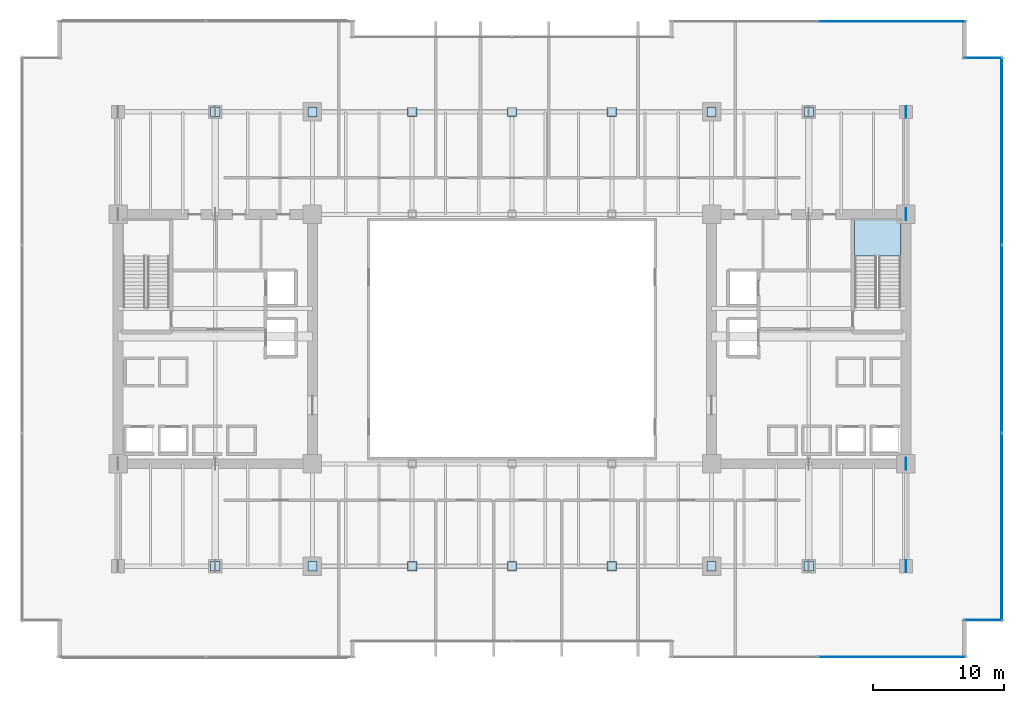
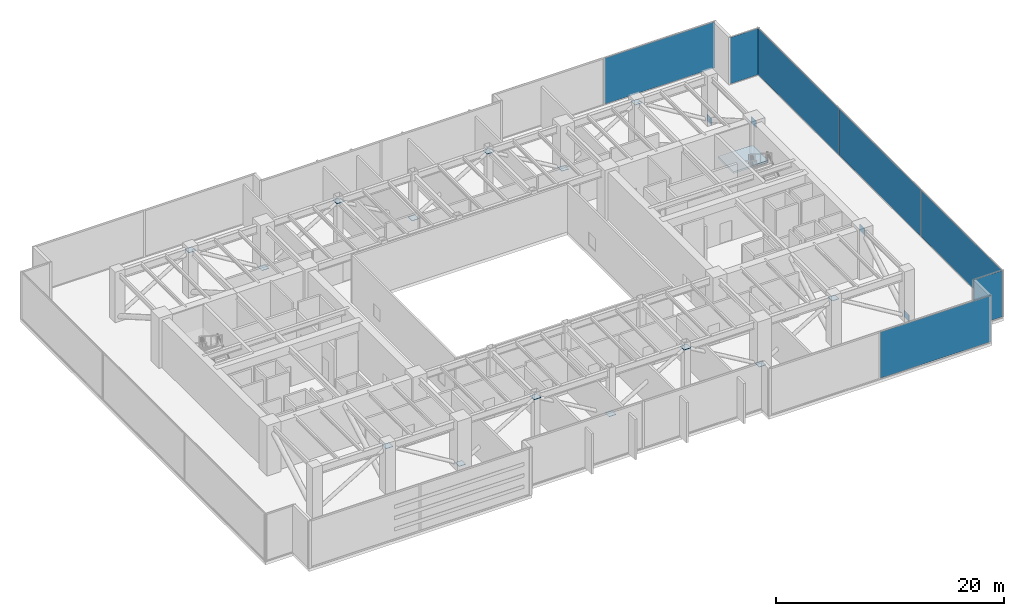
# One storey, part 31 of 38: 25 plates, 1 slab, 6 elements without a shape of their own.
"""IFC4 building model written with IfcOpenShell, lengths in metres."""

from ifc_helpers import new_model, si_unit, direction, frame, origin, origin_2d, place, context, subcontext, project, spatial, polyline, rectangle, outline, extrude, source, transform, mapped, material, layer, layer_set, type_object, type_shapes, element, aggregate, save


model = new_model("IFC4")

# Units and contexts
model_context = context("Model", 3, precision=1e-05, world=origin(), true_north=direction((0.0, 1.0)))
body_context = subcontext(model_context, "Body", "Model", "MODEL_VIEW")
ifc_project = project(units=[si_unit("LENGTHUNIT", "METRE"), si_unit("AREAUNIT", "SQUARE_METRE"), si_unit("VOLUMEUNIT", "CUBIC_METRE"), si_unit("PLANEANGLEUNIT", "RADIAN"), si_unit("MASSUNIT", "GRAM", prefix="KILO")], contexts=[model_context])

# Site, building, storey
site_placement = place(None, origin())
site = spatial("IfcSite", under=ifc_project, at=site_placement, CompositionType="ELEMENT")
building_placement = place(site_placement, origin())
building = spatial("IfcBuilding", under=site, at=building_placement, Name="Haelvirn Gate Laboratories", CompositionType="ELEMENT")
storey_placement = place(building_placement, frame((0.0, 0.0, 94.89990234375)))
storey = spatial("IfcBuildingStorey", under=building, at=storey_placement, Name="L23", CompositionType="ELEMENT", Elevation=94.89990234375)

# Stair, slab
ifc_material_1 = material(Name="Concrete C40/50", Category="concrete")
stair_type = type_object("IfcStairType", Name="ST-DOG-1650-R30", PredefinedType="HALF_TURN_STAIR", material=ifc_material_1)
stair_placement = place(storey_placement, origin())
stair = element("IfcStair", 1, at=stair_placement, inside=storey, type_object=stair_type, Name="L23 Escape Stair ST2", PredefinedType="HALF_TURN_STAIR")
ifc_layer_1 = layer(ifc_material_1, 0.199951171875, Name="SL-STAIR-LND")
ifc_layer_set_1 = layer_set([ifc_layer_1], Name="Concrete C40/50")
slab_type = type_object("IfcSlabType", Name="SL-STAIR-LND", PredefinedType="LANDING", material=ifc_layer_set_1)
slab_placement = place(storey_placement, frame((0.0, 0.0, 2.5)))
slab = element("IfcSlab", 2, at=slab_placement, type_object=slab_type, Name="ST2 landing 1", PredefinedType="LANDING", context=body_context, shape_type="SweptSolid", body=[
    extrude(outline(polyline([(67.0, 30.6201171875), (67.0, 33.35009765625), (63.5, 33.35009765625), (63.5, 30.6201171875), (67.0, 30.6201171875)])), origin(), (0.0, 0.0, 1.0), 0.2001953125),
])
aggregate(stair, [slab])

# Plates
ifc_material_2 = material(Name="Steel SM420", Category="steel")
ifc_layer_2 = layer(ifc_material_2, 0.031982421875, Name="PL-NODE-ON1")
ifc_layer_set_2 = layer_set([ifc_layer_2], Name="Steel SM420")
plate_type_1 = type_object("IfcPlateType", Name="PL-NODE-ON1", PredefinedType="USERDEFINED", material=ifc_layer_set_2)
shared_shape_1 = source(origin(), body_context, "Body", "SweptSolid", [
    extrude(rectangle(XDim=0.89990234375, YDim=0.031982421875, at=origin_2d()), origin(), (0.0, 0.0, 1.0), 0.699951171875),
])
type_shapes(plate_type_1, [shared_shape_1])
for number, where, z_axis, x_axis, name in (
    (3, (67.39990234375, 14.800048828125, 4.39013671875), (0.0, 0.0, 1.0), (0.0, 1.0, 0.0), "L23 Steel Truss Node Plate ON1"),
    (4, (67.39990234375, 7.0, -0.10009765625), (0.0, 0.0, 1.0), (0.0, 1.0, 0.0), "L23 Steel Truss Node Plate ON1"),
    (5, (67.39990234375, 33.800048828125, 4.39013671875), (0.0, 0.0, 1.0), (0.0, 1.0, 0.0), "L23 Steel Truss Node Plate ON1"),
    (6, (67.39990234375, 41.60009765625, -0.10009765625), (0.0, 0.0, 1.0), (0.0, 1.0, 0.0), "L23 Steel Truss Node Plate ON1"),
):
    element("IfcPlate", number, at=place(storey_placement, frame(where, z_axis=z_axis, x_axis=x_axis)), inside=storey, type_object=plate_type_1, Name=name, ObjectType="GUSSET_PLATE", PredefinedType="USERDEFINED", context=body_context, shape_type="MappedRepresentation", body=[
        mapped(shared_shape_1, transform((0.0, 0.0, 0.0), scale=1.0)),
    ])
ifc_layer_3 = layer(ifc_material_2, 0.031982421875, Name="PL-NODE-KN1")
ifc_layer_set_3 = layer_set([ifc_layer_3], Name="Steel SM420")
plate_type_2 = type_object("IfcPlateType", Name="PL-NODE-KN1", PredefinedType="SHEET", material=ifc_layer_set_3)
shared_shape_2 = source(origin(), body_context, "Body", "SweptSolid", [
    extrude(rectangle(XDim=0.699951171875, YDim=0.699951171875, at=origin_2d()), origin(), (0.0, 0.0, 1.0), 0.031982421875),
])
type_shapes(plate_type_2, [shared_shape_2])
for number, where, z_axis, x_axis, name in (
    (7, (14.800048828125, 7.0, 4.72412109375), (0.0, 0.0, 1.0), (1.0, 0.0, 0.0), "L23 Steel Truss Node Plate KN1"),
    (8, (22.199951171875, 7.0, 0.23388671875), (0.0, 0.0, 1.0), (1.0, 0.0, 0.0), "L23 Steel Truss Node Plate KN1"),
    (9, (29.800048828125, 7.0, 4.72412109375), (0.0, 0.0, 1.0), (1.0, 0.0, 0.0), "L23 Steel Truss Node Plate KN1"),
    (10, (37.39990234375, 7.0, 0.23388671875), (0.0, 0.0, 1.0), (1.0, 0.0, 0.0), "L23 Steel Truss Node Plate KN1"),
    (11, (45.0, 7.0, 4.72412109375), (0.0, 0.0, 1.0), (1.0, 0.0, 0.0), "L23 Steel Truss Node Plate KN1"),
    (12, (52.60009765625, 7.0, 0.23388671875), (0.0, 0.0, 1.0), (1.0, 0.0, 0.0), "L23 Steel Truss Node Plate KN1"),
    (13, (60.0, 7.0, 4.72412109375), (0.0, 0.0, 1.0), (1.0, 0.0, 0.0), "L23 Steel Truss Node Plate KN1"),
    (14, (14.800048828125, 41.60009765625, 4.72412109375), (0.0, 0.0, 1.0), (1.0, 0.0, 0.0), "L23 Steel Truss Node Plate KN1"),
    (15, (22.199951171875, 41.60009765625, 0.23388671875), (0.0, 0.0, 1.0), (1.0, 0.0, 0.0), "L23 Steel Truss Node Plate KN1"),
    (16, (29.800048828125, 41.60009765625, 4.72412109375), (0.0, 0.0, 1.0), (1.0, 0.0, 0.0), "L23 Steel Truss Node Plate KN1"),
    (17, (37.39990234375, 41.60009765625, 0.23388671875), (0.0, 0.0, 1.0), (1.0, 0.0, 0.0), "L23 Steel Truss Node Plate KN1"),
    (18, (45.0, 41.60009765625, 4.72412109375), (0.0, 0.0, 1.0), (1.0, 0.0, 0.0), "L23 Steel Truss Node Plate KN1"),
    (19, (52.60009765625, 41.60009765625, 0.23388671875), (0.0, 0.0, 1.0), (1.0, 0.0, 0.0), "L23 Steel Truss Node Plate KN1"),
    (20, (60.0, 41.60009765625, 4.72412109375), (0.0, 0.0, 1.0), (1.0, 0.0, 0.0), "L23 Steel Truss Node Plate KN1"),
):
    element("IfcPlate", number, at=place(storey_placement, frame(where, z_axis=z_axis, x_axis=x_axis)), inside=storey, type_object=plate_type_2, Name=name, PredefinedType="SHEET", context=body_context, shape_type="MappedRepresentation", body=[
        mapped(shared_shape_2, transform((0.0, 0.0, 0.0), scale=1.0)),
    ])

# Curtain wall, plate
ifc_material_3 = material(Name="Anodised bronze unitised aluminium & triple low-E glass", Category="aluminium")
ifc_layer_4 = layer(ifc_material_3, 0.18408203125, Name="CW-SYS-2")
ifc_layer_set_4 = layer_set([ifc_layer_4], Name="Anodised bronze unitised aluminium & triple low-E glass")
curtain_wall_type_1 = type_object("IfcCurtainWallType", Name="CW-SYS-2", PredefinedType="NOTDEFINED", material=ifc_layer_set_4)
curtain_wall_1_placement = place(storey_placement, origin())
curtain_wall_1 = element("IfcCurtainWall", 21, at=curtain_wall_1_placement, inside=storey, type_object=curtain_wall_type_1, Name="L23 Unitised Curtain Wall CW-L23-P0-E04-1", PredefinedType="NOTDEFINED")
ifc_material_4 = material(Name="Bronze solar-control triple low-E IGU 44 mm", Category="glass")
ifc_layer_5 = layer(ifc_material_4, 0.0439453125, Name="CWP-IGU-44")
ifc_layer_set_5 = layer_set([ifc_layer_5], Name="Bronze solar-control triple low-E IGU 44 mm")
plate_type_3 = type_object("IfcPlateType", Name="CWP-IGU-44", PredefinedType="CURTAIN_PANEL", material=ifc_layer_set_5)
shared_shape_3 = source(origin(), body_context, "Body", "SweptSolid", [
    extrude(rectangle(XDim=11.1875, YDim=0.0439453125, at=origin_2d()), origin(), (0.0, 0.0, 1.0), 4.949951171875),
])
plate_1_placement = place(storey_placement, frame((66.331298828125, 0.10009765625, 0.0703125), z_axis=(0.0, 0.0, 1.0), x_axis=(1.0, 0.0, 0.0)))
plate_1 = element("IfcPlate", 22, at=plate_1_placement, type_object=plate_type_3, Name="CW2 panel 2.1", PredefinedType="CURTAIN_PANEL", context=body_context, shape_type="MappedRepresentation", body=[
    mapped(shared_shape_3, transform((0.0, 0.0, 0.0), scale=1.0)),
])
aggregate(curtain_wall_1, [plate_1])

curtain_wall_2_placement = place(storey_placement, origin())
curtain_wall_2 = element("IfcCurtainWall", 23, at=curtain_wall_2_placement, inside=storey, type_object=curtain_wall_type_1, Name="L23 Unitised Curtain Wall CW-L23-P0-E10-1", PredefinedType="NOTDEFINED")
plate_2_placement = place(storey_placement, frame((66.331298828125, 48.5, 0.0703125), z_axis=(0.0, 0.0, 1.0), x_axis=(1.0, 0.0, 0.0)))
plate_2 = element("IfcPlate", 24, at=plate_2_placement, type_object=plate_type_3, Name="CW2 panel 2.1", PredefinedType="CURTAIN_PANEL", context=body_context, shape_type="MappedRepresentation", body=[
    mapped(shared_shape_3, transform((0.0, 0.0, 0.0), scale=1.0)),
])
aggregate(curtain_wall_2, [plate_2])

ifc_layer_6 = layer(ifc_material_3, 0.181884765625, Name="CW-SYS-5")
ifc_layer_set_6 = layer_set([ifc_layer_6], Name="Anodised bronze unitised aluminium & triple low-E glass")
curtain_wall_type_2 = type_object("IfcCurtainWallType", Name="CW-SYS-5", PredefinedType="NOTDEFINED", material=ifc_layer_set_6)
curtain_wall_3_placement = place(storey_placement, origin())
curtain_wall_3 = element("IfcCurtainWall", 25, at=curtain_wall_3_placement, inside=storey, type_object=curtain_wall_type_2, Name="L23 Unitised Curtain Wall CW-L23-P0-E06-1", PredefinedType="NOTDEFINED")
ifc_material_5 = material(Name="Clear low-iron notched-corner triple IGU 42 mm", Category="glass")
ifc_layer_7 = layer(ifc_material_5, 0.0419921875, Name="CWP-NTC-42")
ifc_layer_set_7 = layer_set([ifc_layer_7], Name="Clear low-iron notched-corner triple IGU 42 mm")
plate_type_4 = type_object("IfcPlateType", Name="CWP-NTC-42", PredefinedType="CURTAIN_PANEL", material=ifc_layer_set_7)
shared_shape_4 = source(origin(), body_context, "Body", "SweptSolid", [
    extrude(rectangle(XDim=2.8798828125, YDim=0.0419921875, at=origin_2d()), origin(), (0.0, 0.0, 1.0), 4.9599609375),
])
type_shapes(plate_type_4, [shared_shape_4])
plate_3_placement = place(storey_placement, frame((73.280029296875, 2.89990234375, 0.065185546875), z_axis=(0.0, 0.0, 1.0), x_axis=(1.0, 0.0, 0.0)))
plate_3 = element("IfcPlate", 26, at=plate_3_placement, type_object=plate_type_4, Name="CW5 panel 1.1", PredefinedType="CURTAIN_PANEL", context=body_context, shape_type="MappedRepresentation", body=[
    mapped(shared_shape_4, transform((0.0, 0.0, 0.0), scale=1.0)),
])
aggregate(curtain_wall_3, [plate_3])

curtain_wall_4_placement = place(storey_placement, origin())
curtain_wall_4 = element("IfcCurtainWall", 27, at=curtain_wall_4_placement, inside=storey, type_object=curtain_wall_type_2, Name="L23 Unitised Curtain Wall CW-L23-P0-E08-1", PredefinedType="NOTDEFINED")
plate_4_placement = place(storey_placement, frame((73.280029296875, 45.699951171875, 0.065185546875), z_axis=(0.0, 0.0, 1.0), x_axis=(1.0, 0.0, 0.0)))
plate_4 = element("IfcPlate", 28, at=plate_4_placement, type_object=plate_type_4, Name="CW5 panel 1.1", PredefinedType="CURTAIN_PANEL", context=body_context, shape_type="MappedRepresentation", body=[
    mapped(shared_shape_4, transform((0.0, 0.0, 0.0), scale=1.0)),
])
aggregate(curtain_wall_4, [plate_4])

# Curtain wall, plates
curtain_wall_5_placement = place(storey_placement, origin())
curtain_wall_5 = element("IfcCurtainWall", 29, at=curtain_wall_5_placement, inside=storey, type_object=curtain_wall_type_1, Name="L23 Unitised Curtain Wall CW-L23-P0-E07", PredefinedType="NOTDEFINED")
shared_shape_5 = source(origin(), body_context, "Body", "SweptSolid", [
    extrude(rectangle(XDim=14.220947265625, YDim=0.0439453125, at=origin_2d()), origin(), (0.0, 0.0, 1.0), 4.949951171875),
])
plate_5_placement = place(storey_placement, frame((74.699951171875, 9.9853515625, 0.0703125), z_axis=(0.0, 0.0, 1.0), x_axis=(0.0, 1.0, 0.0)))
plate_5 = element("IfcPlate", 30, at=plate_5_placement, type_object=plate_type_3, Name="CW2 panel 1.1", PredefinedType="CURTAIN_PANEL", context=body_context, shape_type="MappedRepresentation", body=[
    mapped(shared_shape_5, transform((0.0, 0.0, 0.0), scale=1.0)),
])
plate_6_placement = place(storey_placement, frame((74.699951171875, 38.614501953125, 0.0703125), z_axis=(0.0, 0.0, 1.0), x_axis=(0.0, 1.0, 0.0)))
plate_6 = element("IfcPlate", 31, at=plate_6_placement, type_object=plate_type_3, Name="CW2 panel 3.1", PredefinedType="CURTAIN_PANEL", context=body_context, shape_type="MappedRepresentation", body=[
    mapped(shared_shape_5, transform((0.0, 0.0, 0.0), scale=1.0)),
])
shared_shape_6 = source(origin(), body_context, "Body", "SweptSolid", [
    extrude(rectangle(XDim=14.25830078125, YDim=0.0439453125, at=origin_2d()), origin(), (0.0, 0.0, 1.0), 4.949951171875),
])
type_shapes(plate_type_3, [shared_shape_3, shared_shape_5, shared_shape_6])
plate_7_placement = place(storey_placement, frame((74.699951171875, 24.300048828125, 0.0703125), z_axis=(0.0, 0.0, 1.0), x_axis=(0.0, 1.0, 0.0)))
plate_7 = element("IfcPlate", 32, at=plate_7_placement, type_object=plate_type_3, Name="CW2 panel 2.1", PredefinedType="CURTAIN_PANEL", context=body_context, shape_type="MappedRepresentation", body=[
    mapped(shared_shape_6, transform((0.0, 0.0, 0.0), scale=1.0)),
])
aggregate(curtain_wall_5, [plate_5, plate_7, plate_6])

save(model, "model.ifc")
